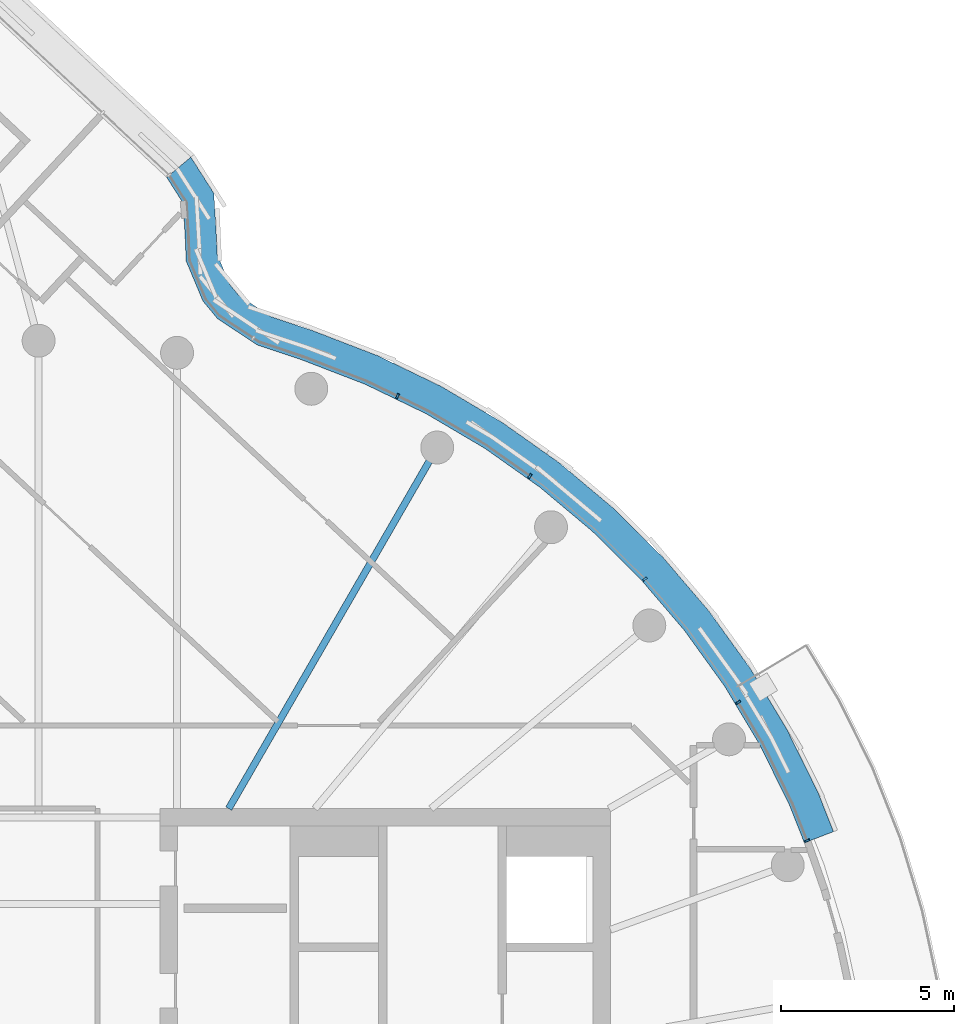
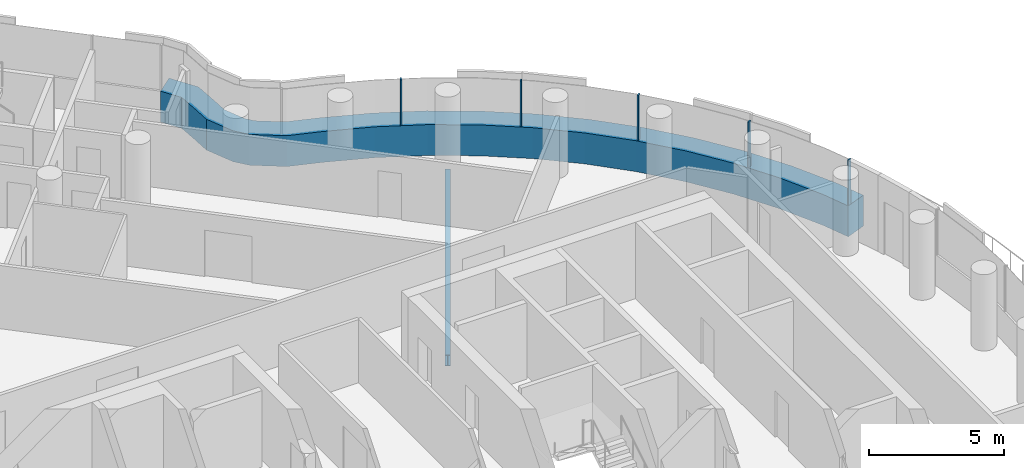
# One storey, part 11 of 30: 6 members, 1 beam, 1 element without a shape of its own.
"""IFC4 building model written with IfcOpenShell, lengths in metres."""

from ifc_helpers import new_model, si_unit, direction, frame, origin, origin_2d, place, context, subcontext, project, spatial, polyline, rectangle, i_section, outline, extrude, material, layer, layer_set, material_profile, profile_set, type_object, element, aggregate, save


model = new_model("IFC4")

# Units and contexts
model_context = context("Model", 3, precision=1e-05, world=origin(), true_north=direction((0.0, 1.0)))
body_context = subcontext(model_context, "Body", "Model", "MODEL_VIEW")
ifc_project = project(units=[si_unit("LENGTHUNIT", "METRE"), si_unit("AREAUNIT", "SQUARE_METRE"), si_unit("VOLUMEUNIT", "CUBIC_METRE"), si_unit("PLANEANGLEUNIT", "RADIAN"), si_unit("MASSUNIT", "GRAM", prefix="KILO")], contexts=[model_context])

# Site, building, storey
site_placement = place(None, origin())
site = spatial("IfcSite", under=ifc_project, at=site_placement, CompositionType="ELEMENT")
building_placement = place(site_placement, origin())
building = spatial("IfcBuilding", under=site, at=building_placement, Name="Tamarind Cross Interchange Tower", CompositionType="ELEMENT")
storey_placement = place(building_placement, frame((0.0, 0.0, 204.10009765625)))
storey = spatial("IfcBuildingStorey", under=building, at=storey_placement, Name="L51", CompositionType="ELEMENT", Elevation=204.10009765625)

# Beam
ifc_material_1 = material(Name="Steel Q355B", Category="steel")
ifc_material_profile_1 = material_profile(ifc_material_1, i_section(OverallWidth=0.198974609375, OverallDepth=0.49609375, WebThickness=0.009033203125, FlangeThickness=0.013916015625, FilletRadius=0.012939453125, at=origin_2d()), Name="HN 496x199x9x14")
ifc_profile_set_1 = profile_set([ifc_material_profile_1], Name="Steel Q355B")
beam_type = type_object("IfcBeamType", Name="Composite beam HN 496x199x9x14 Q355B", PredefinedType="BEAM", material=ifc_profile_set_1)
beam_placement = place(storey_placement, frame((11.5, 19.918701171875, -0.38818359375), z_axis=(-0.499993565836, -0.866029118519, 0.0), x_axis=(0.866029118519, -0.499993565836, 0.0)))
element("IfcBeam", 1, at=beam_placement, inside=storey, type_object=beam_type, Name="Beam HH06", PredefinedType="BEAM", context=body_context, shape_type="SweptSolid", body=[
    extrude(i_section(OverallWidth=0.198974609375, OverallDepth=0.49609375, WebThickness=0.009033203125, FlangeThickness=0.013916015625, FilletRadius=0.012939453125, at=origin_2d()), origin(), (0.0, 0.0, 1.0), 12.030517578125),
])

# Curtain wall, members
ifc_material_2 = material(Name="Aluminium 6063-T6", Category="aluminium")
ifc_layer = layer(ifc_material_2, 0.139892578125)
ifc_layer_set = layer_set([ifc_layer], Name="Aluminium 6063-T6")
curtain_wall_type = type_object("IfcCurtainWallType", Name="Hotel curtain wall, 4.5 m bays", PredefinedType="NOTDEFINED", material=ifc_layer_set)
curtain_wall_placement = place(storey_placement, origin())
curtain_wall = element("IfcCurtainWall", 2, at=curtain_wall_placement, inside=storey, type_object=curtain_wall_type, Name="CWS-L51-06", PredefinedType="NOTDEFINED")
ifc_material_3 = material(Name="Aluminium and insulated spandrel panel", Category="aluminium")
member_type_1 = type_object("IfcMemberType", Name="Floor-edge blade transom", PredefinedType="USERDEFINED", material=ifc_material_3)
member_1_placement = place(storey_placement, origin())
member_1 = element("IfcMember", 3, at=member_1_placement, type_object=member_type_1, Name="CWT-L51-06-1", ObjectType="TRANSOM", PredefinedType="USERDEFINED", context=body_context, shape_type="SweptSolid", body=[
    extrude(outline(polyline([(22.093017578125, 8.5126953125), (21.65869140625, 9.61181640625), (20.791015625, 11.367431640625), (19.78125, 13.045654296875), (18.636474609375, 14.634521484375), (17.3642578125, 16.12353515625), (15.973388671875, 17.50244140625), (14.4736328125, 18.76171875), (12.874755859375, 19.892822265625), (11.188232421875, 20.88818359375), (9.425048828125, 21.74072265625), (7.59228515625, 22.44677734375), (6.314208984375, 22.873046875), (5.160400390625, 23.63623046875), (4.740966796875, 24.14306640625), (4.2587890625, 25.294189453125), (4.2255859375, 26.046630859375), (4.170166015625, 26.968017578125), (3.693603515625, 27.71630859375), (4.39111328125, 28.296630859375), (5.054443359375, 27.254638671875), (5.124267578125, 26.093505859375), (5.15087890625, 25.493896484375), (5.519287109375, 24.614013671875), (5.768310546875, 24.313232421875), (6.711669921875, 23.689208984375), (7.896728515625, 23.2939453125), (9.783203125, 22.567138671875), (11.613525390625, 21.68212890625), (13.3642578125, 20.64892578125), (15.023681640625, 19.474853515625), (16.580810546875, 18.167724609375), (18.0244140625, 16.736572265625), (19.344970703125, 15.19091796875), (20.533203125, 13.54150390625), (21.581298828125, 11.799560546875), (22.482177734375, 9.97705078125), (22.932861328125, 8.836181640625), (22.093017578125, 8.5126953125)])), origin(), (0.0, 0.0, 1.0), 1.39990234375),
])
ifc_material_profile_2 = material_profile(ifc_material_2, rectangle(XDim=0.06005859375, YDim=0.139892578125, at=origin_2d()), Name="Mullion CW2")
ifc_profile_set_2 = profile_set([ifc_material_profile_2], Name="Aluminium 6063-T6")
member_type_2 = type_object("IfcMemberType", Name="Mullion CW2", PredefinedType="MULLION", material=ifc_profile_set_2)
member_2_placement = place(storey_placement, frame((22.175537109375, 8.576171875, 1.39990234375), z_axis=(0.0, 0.0, 1.0), x_axis=(-0.367513773146, 0.930018078613, 0.0)))
member_2 = element("IfcMember", 4, at=member_2_placement, type_object=member_type_2, Name="CWM-L51-06-08", PredefinedType="MULLION", context=body_context, shape_type="SweptSolid", body=[
    extrude(rectangle(XDim=0.06005859375, YDim=0.139892578125, at=origin_2d()), origin(), (0.0, 0.0, 1.0), 2.06005859375),
])
member_3_placement = place(storey_placement, frame((20.186279296875, 12.566650390625, 1.39990234375), z_axis=(0.0, 0.0, 1.0), x_axis=(-0.515577308909, 0.856843065292, 0.0)))
member_3 = element("IfcMember", 5, at=member_3_placement, type_object=member_type_2, Name="CWM-L51-06-09", PredefinedType="MULLION", context=body_context, shape_type="SweptSolid", body=[
    extrude(rectangle(XDim=0.06005859375, YDim=0.139892578125, at=origin_2d()), origin(), (0.0, 0.0, 1.0), 2.06005859375),
])
member_4_placement = place(storey_placement, frame((17.495849609375, 16.12353515625, 1.39990234375), z_axis=(0.0, 0.0, 1.0), x_axis=(-0.64957723968, 0.760295606781, 0.0)))
member_4 = element("IfcMember", 6, at=member_4_placement, type_object=member_type_2, Name="CWM-L51-06-10", PredefinedType="MULLION", context=body_context, shape_type="SweptSolid", body=[
    extrude(rectangle(XDim=0.06005859375, YDim=0.139892578125, at=origin_2d()), origin(), (0.0, 0.0, 1.0), 2.06005859375),
])
member_5_placement = place(storey_placement, frame((14.1728515625, 19.096923828125, 1.39990234375), z_axis=(0.0, 0.0, 1.0), x_axis=(-0.816341886298, 0.577568978284, 0.0)))
member_5 = element("IfcMember", 7, at=member_5_placement, type_object=member_type_2, Name="CWM-L51-06-11", PredefinedType="MULLION", context=body_context, shape_type="SweptSolid", body=[
    extrude(rectangle(XDim=0.06005859375, YDim=0.139892578125, at=origin_2d()), origin(), (0.0, 0.0, 1.0), 2.06005859375),
])
member_6_placement = place(storey_placement, frame((10.355712890625, 21.401611328125, 1.39990234375), z_axis=(0.0, 0.0, 1.0), x_axis=(-0.900272776334, 0.435326231914, 0.0)))
member_6 = element("IfcMember", 8, at=member_6_placement, type_object=member_type_2, Name="CWM-L51-06-12", PredefinedType="MULLION", context=body_context, shape_type="SweptSolid", body=[
    extrude(rectangle(XDim=0.06005859375, YDim=0.139892578125, at=origin_2d()), origin(), (0.0, 0.0, 1.0), 2.06005859375),
])
aggregate(curtain_wall, [member_2, member_3, member_4, member_5, member_6, member_1])

save(model, "model.ifc")
